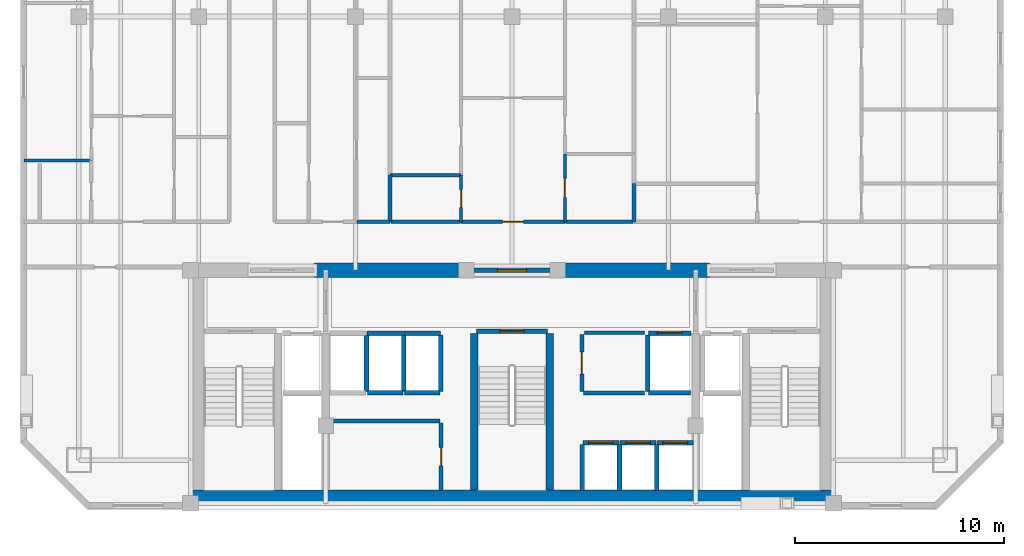
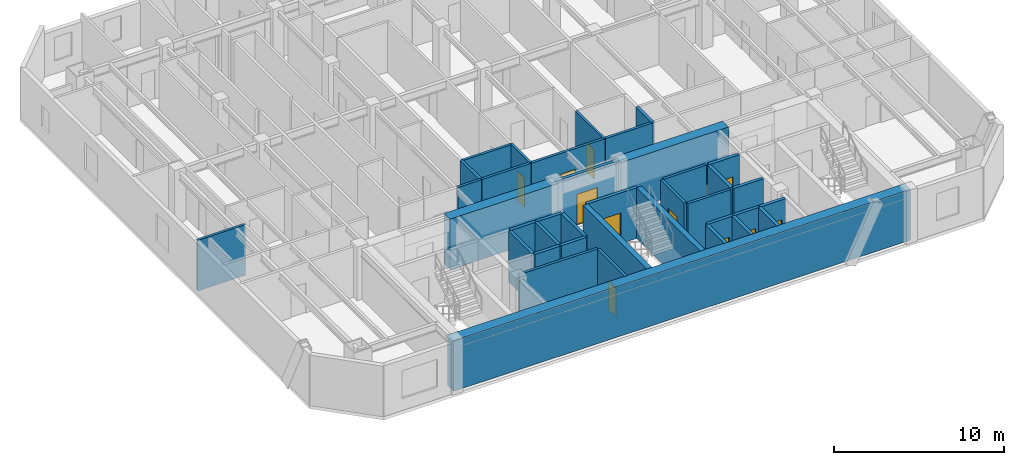
# One storey, part 3 of 8: 38 walls, 11 doors, 11 openings.
"""IFC4 building model written with IfcOpenShell, lengths in metres."""

from ifc_helpers import new_model, si_unit, direction, frame, frame_2d, origin, place, context, subcontext, project, spatial, rectangle, extrude, material, layer, layer_set, type_object, element, fill, save


model = new_model("IFC4")

# Units and contexts
model_context = context("Model", 3, precision=1e-05, world=origin(), true_north=direction((0.0, 1.0)))
body_context = subcontext(model_context, "Body", "Model", "MODEL_VIEW")
ifc_project = project(units=[si_unit("LENGTHUNIT", "METRE"), si_unit("AREAUNIT", "SQUARE_METRE"), si_unit("VOLUMEUNIT", "CUBIC_METRE"), si_unit("PLANEANGLEUNIT", "RADIAN"), si_unit("MASSUNIT", "GRAM", prefix="KILO")], contexts=[model_context])

# Site, building, storey
site_placement = place(None, origin())
site = spatial("IfcSite", under=ifc_project, at=site_placement, CompositionType="ELEMENT")
building_placement = place(site_placement, origin())
building = spatial("IfcBuilding", under=site, at=building_placement, Name="Ventersveld Concourse Tower", CompositionType="ELEMENT")
storey_placement = place(building_placement, frame((0.0, 0.0, 179.85009765625)))
storey = spatial("IfcBuildingStorey", under=building, at=storey_placement, Name="L44", CompositionType="ELEMENT", Elevation=179.85009765625)

# Walls
ifc_material_1 = material(Name="Concrete C60/75", Category="concrete")
ifc_layer_1 = layer(ifc_material_1, 0.35009765625)
ifc_layer_set_1 = layer_set([ifc_layer_1], Name="Concrete C60/75")
wall_type_1 = type_object("IfcWallType", Name="WL-CORE-350L", PredefinedType="SHEAR", material=ifc_layer_set_1)
for number, where, z_axis, x_axis, name in (
    (1, (26.93994140625, 0.919921875, 0.0), (0.0, 0.0, 1.0), (0.0, 1.0, 0.0), "L44 Core Internal Shear Web W-ST3-W"),
    (2, (30.56005859375, 0.919921875, 0.0), (0.0, 0.0, 1.0), (0.0, 1.0, 0.0), "L44 Core Internal Shear Web W-ST3-E"),
):
    element("IfcWall", number, at=place(storey_placement, frame(where, z_axis=z_axis, x_axis=x_axis)), inside=storey, type_object=wall_type_1, Name=name, PredefinedType="SHEAR", context=body_context, shape_type="SweptSolid", body=[
        extrude(rectangle(XDim=7.5, YDim=0.35009765625, at=frame_2d((3.75, 0.0))), origin(), (0.0, 0.0, 1.0), 3.6298828125),
    ])
ifc_layer_2 = layer(ifc_material_1, 0.699951171875)
ifc_layer_set_2 = layer_set([ifc_layer_2], Name="Concrete C60/75")
wall_type_2 = type_object("IfcWallType", Name="WL-CORE-700", PredefinedType="SHEAR", material=ifc_layer_set_2)
wall_1_placement = place(storey_placement, frame((13.25, 0.570068359375, 0.0), z_axis=(0.0, 0.0, 1.0), x_axis=(1.0, 0.0, 0.0)))
element("IfcWall", 3, at=wall_1_placement, inside=storey, type_object=wall_type_2, Name="L44 Rear Core South Shear Wall", PredefinedType="SHEAR", context=body_context, shape_type="SweptSolid", body=[
    extrude(rectangle(XDim=31.0, YDim=0.699951171875, at=frame_2d((15.5, 0.0))), origin(), (0.0, 0.0, 1.0), 3.6298828125),
])
for number, where, z_axis, x_axis, name in (
    (4, (19.300048828125, 11.449951171875, 0.0), (0.0, 0.0, 1.0), (1.0, 0.0, 0.0), "L44 Rear Core North Shear Wall NML"),
    (5, (30.89990234375, 11.449951171875, 0.0), (0.0, 0.0, 1.0), (1.0, 0.0, 0.0), "L44 Rear Core North Shear Wall NMR"),
):
    element("IfcWall", number, at=place(storey_placement, frame(where, z_axis=z_axis, x_axis=x_axis)), inside=storey, type_object=wall_type_2, Name=name, PredefinedType="SHEAR", context=body_context, shape_type="SweptSolid", body=[
        extrude(rectangle(XDim=7.300048828125, YDim=0.699951171875, at=frame_2d((3.64990234375, 0.0))), origin(), (0.0, 0.0, 1.0), 3.6298828125),
    ])

# Wall, opening, door
ifc_material_2 = material(Name="Fire-rated autoclaved aerated masonry blockwork", Category="masonry")
ifc_layer_3 = layer(ifc_material_2, 0.179931640625)
ifc_layer_set_3 = layer_set([ifc_layer_3], Name="Fire-rated autoclaved aerated masonry blockwork")
wall_type_3 = type_object("IfcWallType", Name="WL-CORR-180", PredefinedType="PARTITIONING", material=ifc_layer_set_3)
wall_2_placement = place(storey_placement, frame((25.35009765625, 0.89990234375, 0.0), z_axis=(0.0, 0.0, 1.0), x_axis=(0.0, 1.0, 0.0)))
wall_2 = element("IfcWall", 6, at=wall_2_placement, inside=storey, type_object=wall_type_3, Name="L44 Core Passage Wall SP-L44-RECB1A", PredefinedType="PARTITIONING", context=body_context, shape_type="SweptSolid", body=[
    extrude(rectangle(XDim=3.239990234375, YDim=0.179931640625, at=frame_2d((1.6201171875, 0.0))), origin(), (0.0, 0.0, 1.0), 3.6298828125),
])
opening_1_placement = place(wall_2_placement, frame((1.179931640625, 0.0, 0.0)))
opening_1 = element("IfcOpeningElement", 7, at=opening_1_placement, cuts=wall_2, Name="Opening FD5", PredefinedType="OPENING", context=body_context, shape_type="SweptSolid", body=[
    extrude(rectangle(XDim=0.8798828125, YDim=2.050048828125, at=frame_2d((0.43994140625, 1.02490234375))), frame((0.0, 0.10009765625, 0.0), z_axis=(0.0, -1.0, 0.0), x_axis=(1.0, 0.0, 0.0)), (0.0, 0.0, 1.0), 0.199951171875),
])
ifc_material_3 = material(Name="Galvanised painted steel", Category="steel")
door_type_1 = type_object("IfcDoorType", Name="DR-RISER-088", OperationType="NOTDEFINED", PredefinedType="DOOR", material=ifc_material_3)
door_1_placement = place(opening_1_placement, origin())
door_1 = element("IfcDoor", 8, at=door_1_placement, inside=storey, type_object=door_type_1, Name="L44 Core Room Door L44 Reclaimed Core Quiet Study Pod (CD-L44-2149)", OperationType="SINGLE_SWING_RIGHT", OverallHeight=2.050048828125, OverallWidth=0.8798828125, PredefinedType="DOOR", context=body_context, shape_type="SweptSolid", body=[
    extrude(rectangle(XDim=0.8798828125, YDim=2.050048828125, at=frame_2d((0.43994140625, 1.02490234375))), frame((0.0, 0.02490234375, 0.0), z_axis=(0.0, -1.0, 0.0), x_axis=(1.0, 0.0, 0.0)), (0.0, 0.0, 1.0), 0.050048828125),
])
fill(opening_1, door_1)

# Wall
wall_3_placement = place(storey_placement, frame((19.97998046875, 4.22998046875, 0.0), z_axis=(0.0, 0.0, 1.0), x_axis=(1.0, 0.0, 0.0)))
element("IfcWall", 9, at=wall_3_placement, inside=storey, type_object=wall_type_3, Name="L44 Core Top Wall SP-L44-RECB1A", PredefinedType="PARTITIONING", context=body_context, shape_type="SweptSolid", body=[
    extrude(rectangle(XDim=5.320068359375, YDim=0.179931640625, at=frame_2d((2.66015625, 0.0))), origin(), (0.0, 0.0, 1.0), 3.6298828125),
])

# Wall, opening, door
wall_4_placement = place(storey_placement, frame((32.10009765625, 5.64990234375, 0.0), z_axis=(0.0, 0.0, 1.0), x_axis=(0.0, 1.0, 0.0)))
wall_4 = element("IfcWall", 10, at=wall_4_placement, inside=storey, type_object=wall_type_3, Name="L44 Core Passage Wall SP-L44-CBAY1", PredefinedType="PARTITIONING", context=body_context, shape_type="SweptSolid", body=[
    extrude(rectangle(XDim=2.72998046875, YDim=0.179931640625, at=frame_2d((1.364990234375, 0.0))), origin(), (0.0, 0.0, 1.0), 3.6298828125),
])
opening_2_placement = place(wall_4_placement, frame((0.840087890625, 0.0, 0.0)))
opening_2 = element("IfcOpeningElement", 11, at=opening_2_placement, cuts=wall_4, Name="Opening ID3", PredefinedType="OPENING", context=body_context, shape_type="SweptSolid", body=[
    extrude(rectangle(XDim=1.050048828125, YDim=2.14990234375, at=frame_2d((0.52490234375, 1.074951171875))), frame((0.0, 0.10009765625, 0.0), z_axis=(0.0, -1.0, 0.0), x_axis=(1.0, 0.0, 0.0)), (0.0, 0.0, 1.0), 0.199951171875),
])
ifc_material_4 = material(Name="Solid-core hardwood veneer timber", Category="wood")
door_type_2 = type_object("IfcDoorType", Name="DR-AWC-105", OperationType="NOTDEFINED", PredefinedType="DOOR", material=ifc_material_4)
door_2_placement = place(opening_2_placement, origin())
door_2 = element("IfcDoor", 12, at=door_2_placement, inside=storey, type_object=door_type_2, Name="L44 Core Room Door L44 Core Unisex Accessible WC (CD-L44-2150)", OperationType="SINGLE_SWING_LEFT", OverallHeight=2.14990234375, OverallWidth=1.050048828125, PredefinedType="DOOR", context=body_context, shape_type="SweptSolid", body=[
    extrude(rectangle(XDim=1.050048828125, YDim=2.14990234375, at=frame_2d((0.52490234375, 1.074951171875))), frame((0.0, 0.02490234375, 0.0), z_axis=(0.0, -1.0, 0.0), x_axis=(1.0, 0.0, 0.0)), (0.0, 0.0, 1.0), 0.050048828125),
])
fill(opening_2, door_2)

# Walls
wall_5_placement = place(storey_placement, frame((32.219970703125, 8.4599609375, 0.0), z_axis=(0.0, 0.0, 1.0), x_axis=(1.0, 0.0, 0.0)))
element("IfcWall", 13, at=wall_5_placement, inside=storey, type_object=wall_type_3, Name="L44 Core Top Wall SP-L44-CBAY1", PredefinedType="PARTITIONING", context=body_context, shape_type="SweptSolid", body=[
    extrude(rectangle(XDim=2.880126953125, YDim=0.179931640625, at=frame_2d((1.43994140625, 0.0))), origin(), (0.0, 0.0, 1.0), 3.6298828125),
])
wall_6_placement = place(storey_placement, frame((32.179931640625, 5.570068359375, 0.0), z_axis=(0.0, 0.0, 1.0), x_axis=(1.0, 0.0, 0.0)))
element("IfcWall", 14, at=wall_6_placement, inside=storey, type_object=wall_type_3, Name="L44 Core Bot Wall SP-L44-CBAY1", PredefinedType="PARTITIONING", context=body_context, shape_type="SweptSolid", body=[
    extrude(rectangle(XDim=2.920166015625, YDim=0.179931640625, at=frame_2d((1.4599609375, 0.0))), origin(), (0.0, 0.0, 1.0), 3.6298828125),
])
wall_7_placement = place(storey_placement, frame((21.336181640625, 13.77001953125, 0.0), z_axis=(0.0, 0.0, 1.0), x_axis=(1.0, 0.0, 0.0)))
element("IfcWall", 15, at=wall_7_placement, inside=storey, type_object=wall_type_3, Name="L44 Interior Partition SP-L44-COR-SP-L44-44CW-KIT", PredefinedType="PARTITIONING", context=body_context, shape_type="SweptSolid", body=[
    extrude(rectangle(XDim=1.578857421875, YDim=0.179931640625, at=frame_2d((0.78955078125, 0.0))), origin(), (0.0, 0.0, 1.0), 3.6298828125),
])

# Wall, opening, door
wall_8_placement = place(storey_placement, frame((26.302734375, 13.77001953125, 0.0), z_axis=(0.0, 0.0, 1.0), x_axis=(1.0, 0.0, 0.0)))
wall_8 = element("IfcWall", 16, at=wall_8_placement, inside=storey, type_object=wall_type_3, Name="L44 Interior Partition SP-L44-COR-SP-L44-44CM-FOY", PredefinedType="PARTITIONING", context=body_context, shape_type="SweptSolid", body=[
    extrude(rectangle(XDim=4.989990234375, YDim=0.179931640625, at=frame_2d((2.4951171875, 0.0))), origin(), (0.0, 0.0, 1.0), 3.6298828125),
])
opening_3_placement = place(wall_8_placement, frame((1.9951171875, 0.0, 0.0)))
opening_3 = element("IfcOpeningElement", 17, at=opening_3_placement, cuts=wall_8, Name="Opening FD3", PredefinedType="OPENING", context=body_context, shape_type="SweptSolid", body=[
    extrude(rectangle(XDim=1.0, YDim=2.14990234375, at=frame_2d((0.5, 1.074951171875))), frame((0.0, 0.10009765625, 0.0), z_axis=(0.0, -1.0, 0.0), x_axis=(1.0, 0.0, 0.0)), (0.0, 0.0, 1.0), 0.199951171875),
])
door_type_3 = type_object("IfcDoorType", Name="DR-FLAT-100", OperationType="NOTDEFINED", PredefinedType="DOOR", material=ifc_material_4)
door_3_placement = place(opening_3_placement, origin())
door_3 = element("IfcDoor", 18, at=door_3_placement, inside=storey, type_object=door_type_3, Name="L44 Interior Door SP-L44-COR to SP-L44-44CM-FOY (FD-L44-2156)", OperationType="SINGLE_SWING_RIGHT", OverallHeight=2.14990234375, OverallWidth=1.0, PredefinedType="DOOR", context=body_context, shape_type="SweptSolid", body=[
    extrude(rectangle(XDim=1.0, YDim=2.14990234375, at=frame_2d((0.5, 1.074951171875))), frame((0.0, 0.02490234375, 0.0), z_axis=(0.0, -1.0, 0.0), x_axis=(1.0, 0.0, 0.0)), (0.0, 0.0, 1.0), 0.050048828125),
])
fill(opening_3, door_3)

# Walls
wall_9_placement = place(storey_placement, frame((22.945068359375, 13.77001953125, 0.0), z_axis=(0.0, 0.0, 1.0), x_axis=(1.0, 0.0, 0.0)))
element("IfcWall", 19, at=wall_9_placement, inside=storey, type_object=wall_type_3, Name="L44 Interior Partition SP-L44-COR-SP-L44-44CM-BATH", PredefinedType="PARTITIONING", context=body_context, shape_type="SweptSolid", body=[
    extrude(rectangle(XDim=3.32763671875, YDim=0.179931640625, at=frame_2d((1.663818359375, 0.0))), origin(), (0.0, 0.0, 1.0), 3.6298828125),
])
wall_10_placement = place(storey_placement, frame((31.32275390625, 13.77001953125, 0.0), z_axis=(0.0, 0.0, 1.0), x_axis=(1.0, 0.0, 0.0)))
element("IfcWall", 20, at=wall_10_placement, inside=storey, type_object=wall_type_3, Name="L44 Interior Partition SP-L44-COR-SP-L44-44CM-KIT", PredefinedType="PARTITIONING", context=body_context, shape_type="SweptSolid", body=[
    extrude(rectangle(XDim=3.232177734375, YDim=0.179931640625, at=frame_2d((1.6162109375, 0.0))), origin(), (0.0, 0.0, 1.0), 3.6298828125),
])
ifc_layer_4 = layer(ifc_material_2, 0.199951171875)
ifc_layer_set_4 = layer_set([ifc_layer_4], Name="Fire-rated autoclaved aerated masonry blockwork")
wall_type_4 = type_object("IfcWallType", Name="WL-DEMISE-200", PredefinedType="PARTITIONING", material=ifc_layer_set_4)
wall_11_placement = place(storey_placement, frame((22.909912109375, 13.764892578125, 0.0), z_axis=(0.0, 0.0, 1.0), x_axis=(0.0, 1.0, 0.0)))
element("IfcWall", 21, at=wall_11_placement, inside=storey, type_object=wall_type_4, Name="L44 Interior Partition SP-L44-44CW-KIT-SP-L44-44CM-BATH", PredefinedType="PARTITIONING", context=body_context, shape_type="SweptSolid", body=[
    extrude(rectangle(XDim=2.2412109375, YDim=0.199951171875, at=frame_2d((1.12060546875, 0.0))), origin(), (0.0, 0.0, 1.0), 3.6298828125),
])
wall_12_placement = place(storey_placement, frame((34.590087890625, 13.764892578125, 0.0), z_axis=(0.0, 0.0, 1.0), x_axis=(0.0, 1.0, 0.0)))
element("IfcWall", 22, at=wall_12_placement, inside=storey, type_object=wall_type_4, Name="L44 Interior Partition SP-L44-44CE-BATH-SP-L44-44CM-KIT", PredefinedType="PARTITIONING", context=body_context, shape_type="SweptSolid", body=[
    extrude(rectangle(XDim=1.840087890625, YDim=0.199951171875, at=frame_2d((0.919921875, 0.0))), origin(), (0.0, 0.0, 1.0), 3.6298828125),
])
ifc_layer_5 = layer(ifc_material_2, 0.219970703125)
ifc_layer_set_5 = layer_set([ifc_layer_5], Name="Fire-rated autoclaved aerated masonry blockwork")
wall_type_5 = type_object("IfcWallType", Name="WL-HOIST-220", PredefinedType="SOLIDWALL", material=ifc_layer_set_5)
wall_13_placement = place(storey_placement, frame((35.300048828125, 5.590087890625, 0.0), z_axis=(0.0, 0.0, 1.0), x_axis=(1.0, 0.0, 0.0)))
element("IfcWall", 23, at=wall_13_placement, inside=storey, type_object=wall_type_5, Name="L44 Lift Hoistway Back Wall SVL-01", PredefinedType="SOLIDWALL", context=body_context, shape_type="SweptSolid", body=[
    extrude(rectangle(XDim=2.0, YDim=0.219970703125, at=frame_2d((1.0, 0.0))), origin(), (0.0, 0.0, 1.0), 3.6298828125),
])
wall_14_placement = place(storey_placement, frame((35.260009765625, 5.64990234375, 0.0), z_axis=(0.0, 0.0, 1.0), x_axis=(0.0, 1.0, 0.0)))
element("IfcWall", 24, at=wall_14_placement, inside=storey, type_object=wall_type_5, Name="L44 Lift Hoistway Side Wall SVL-01W", PredefinedType="SOLIDWALL", context=body_context, shape_type="SweptSolid", body=[
    extrude(rectangle(XDim=2.7001953125, YDim=0.219970703125, at=frame_2d((1.35009765625, 0.0))), origin(), (0.0, 0.0, 1.0), 3.6298828125),
])

# Wall, opening, door
wall_15_placement = place(storey_placement, frame((35.280029296875, 8.429931640625, 0.0), z_axis=(0.0, 0.0, 1.0), x_axis=(1.0, 0.0, 0.0)))
wall_15 = element("IfcWall", 25, at=wall_15_placement, inside=storey, type_object=wall_type_5, Name="L44 Lift Hoistway Front Wall SVL-01", PredefinedType="SOLIDWALL", context=body_context, shape_type="SweptSolid", body=[
    extrude(rectangle(XDim=2.0400390625, YDim=0.219970703125, at=frame_2d((1.02001953125, 0.0))), origin(), (0.0, 0.0, 1.0), 3.6298828125),
])
opening_4_placement = place(wall_15_placement, frame((0.429931640625, 0.0, 0.0)))
opening_4 = element("IfcOpeningElement", 26, at=opening_4_placement, cuts=wall_15, Name="Opening LD2", PredefinedType="OPENING", context=body_context, shape_type="SweptSolid", body=[
    extrude(rectangle(XDim=1.179931640625, YDim=2.199951171875, at=frame_2d((0.58984375, 1.10009765625))), frame((0.0, 0.1201171875, 0.0), z_axis=(0.0, -1.0, 0.0), x_axis=(1.0, 0.0, 0.0)), (0.0, 0.0, 1.0), 0.239990234375),
])
ifc_material_5 = material(Name="Brushed stainless steel 316", Category="steel")
door_type_4 = type_object("IfcDoorType", Name="LD-PAX-118", OperationType="SLIDING_TO_LEFT", PredefinedType="DOOR", material=ifc_material_5)
door_4_placement = place(opening_4_placement, origin())
door_4 = element("IfcDoor", 27, at=door_4_placement, inside=storey, type_object=door_type_4, Name="L44 Lift landing door SVL-01 (LD-L44-SVL-01)", OperationType="SLIDING_TO_LEFT", OverallHeight=2.199951171875, OverallWidth=1.179931640625, PredefinedType="DOOR", context=body_context, shape_type="SweptSolid", body=[
    extrude(rectangle(XDim=1.179931640625, YDim=2.199951171875, at=frame_2d((0.58984375, 1.10009765625))), frame((0.0, 0.02490234375, 0.0), z_axis=(0.0, -1.0, 0.0), x_axis=(1.0, 0.0, 0.0)), (0.0, 0.0, 1.0), 0.050048828125),
])
fill(opening_4, door_4)

# Walls
for number, where, z_axis, x_axis, name in (
    (28, (32.1201171875, 0.89990234375, 0.0), (0.0, 0.0, 1.0), (0.0, 1.0, 0.0), "L44 Lift Hoistway Side Wall PM-01W"),
    (29, (33.89990234375, 0.89990234375, 0.0), (0.0, 0.0, 1.0), (0.0, 1.0, 0.0), "L44 Lift Hoistway Side Wall PM-01E"),
):
    element("IfcWall", number, at=place(storey_placement, frame(where, z_axis=z_axis, x_axis=x_axis)), inside=storey, type_object=wall_type_5, Name=name, PredefinedType="SOLIDWALL", context=body_context, shape_type="SweptSolid", body=[
        extrude(rectangle(XDim=2.2001953125, YDim=0.219970703125, at=frame_2d((1.10009765625, 0.0))), origin(), (0.0, 0.0, 1.0), 3.6298828125),
    ])

# Wall, opening, door
wall_16_placement = place(storey_placement, frame((32.139892578125, 3.179931640625, 0.0), z_axis=(0.0, 0.0, 1.0), x_axis=(1.0, 0.0, 0.0)))
wall_16 = element("IfcWall", 30, at=wall_16_placement, inside=storey, type_object=wall_type_5, Name="L44 Lift Hoistway Front Wall PM-01", PredefinedType="SOLIDWALL", context=body_context, shape_type="SweptSolid", body=[
    extrude(rectangle(XDim=1.739990234375, YDim=0.219970703125, at=frame_2d((0.8701171875, 0.0))), origin(), (0.0, 0.0, 1.0), 3.6298828125),
])
opening_5_placement = place(wall_16_placement, frame((0.280029296875, 0.0, 0.0)))
opening_5 = element("IfcOpeningElement", 31, at=opening_5_placement, cuts=wall_16, Name="Opening LD2", PredefinedType="OPENING", context=body_context, shape_type="SweptSolid", body=[
    extrude(rectangle(XDim=1.179931640625, YDim=2.199951171875, at=frame_2d((0.58984375, 1.10009765625))), frame((0.0, 0.1201171875, 0.0), z_axis=(0.0, -1.0, 0.0), x_axis=(1.0, 0.0, 0.0)), (0.0, 0.0, 1.0), 0.239990234375),
])
door_5_placement = place(opening_5_placement, origin())
door_5 = element("IfcDoor", 32, at=door_5_placement, inside=storey, type_object=door_type_4, Name="L44 Lift landing door PM-01 (LD-L44-PM-01)", OperationType="SLIDING_TO_RIGHT", OverallHeight=2.199951171875, OverallWidth=1.179931640625, PredefinedType="DOOR", context=body_context, shape_type="SweptSolid", body=[
    extrude(rectangle(XDim=1.179931640625, YDim=2.199951171875, at=frame_2d((0.58984375, 1.10009765625))), frame((0.0, 0.02490234375, 0.0), z_axis=(0.0, -1.0, 0.0), x_axis=(1.0, 0.0, 0.0)), (0.0, 0.0, 1.0), 0.050048828125),
])
fill(opening_5, door_5)

# Wall
wall_17_placement = place(storey_placement, frame((35.679931640625, 0.89990234375, 0.0), z_axis=(0.0, 0.0, 1.0), x_axis=(0.0, 1.0, 0.0)))
element("IfcWall", 33, at=wall_17_placement, inside=storey, type_object=wall_type_5, Name="L44 Lift Hoistway Side Wall PM-02E", PredefinedType="SOLIDWALL", context=body_context, shape_type="SweptSolid", body=[
    extrude(rectangle(XDim=2.2001953125, YDim=0.219970703125, at=frame_2d((1.10009765625, 0.0))), origin(), (0.0, 0.0, 1.0), 3.6298828125),
])

# Wall, opening, door
wall_18_placement = place(storey_placement, frame((33.919921875, 3.179931640625, 0.0), z_axis=(0.0, 0.0, 1.0), x_axis=(1.0, 0.0, 0.0)))
wall_18 = element("IfcWall", 34, at=wall_18_placement, inside=storey, type_object=wall_type_5, Name="L44 Lift Hoistway Front Wall PM-02", PredefinedType="SOLIDWALL", context=body_context, shape_type="SweptSolid", body=[
    extrude(rectangle(XDim=1.739990234375, YDim=0.219970703125, at=frame_2d((0.8701171875, 0.0))), origin(), (0.0, 0.0, 1.0), 3.6298828125),
])
opening_6_placement = place(wall_18_placement, frame((0.280029296875, 0.0, 0.0)))
opening_6 = element("IfcOpeningElement", 35, at=opening_6_placement, cuts=wall_18, Name="Opening LD2", PredefinedType="OPENING", context=body_context, shape_type="SweptSolid", body=[
    extrude(rectangle(XDim=1.179931640625, YDim=2.199951171875, at=frame_2d((0.58984375, 1.10009765625))), frame((0.0, 0.1201171875, 0.0), z_axis=(0.0, -1.0, 0.0), x_axis=(1.0, 0.0, 0.0)), (0.0, 0.0, 1.0), 0.239990234375),
])
door_6_placement = place(opening_6_placement, origin())
door_6 = element("IfcDoor", 36, at=door_6_placement, inside=storey, type_object=door_type_4, Name="L44 Lift landing door PM-02 (LD-L44-PM-02)", OperationType="SLIDING_TO_LEFT", OverallHeight=2.199951171875, OverallWidth=1.179931640625, PredefinedType="DOOR", context=body_context, shape_type="SweptSolid", body=[
    extrude(rectangle(XDim=1.179931640625, YDim=2.199951171875, at=frame_2d((0.58984375, 1.10009765625))), frame((0.0, 0.02490234375, 0.0), z_axis=(0.0, -1.0, 0.0), x_axis=(1.0, 0.0, 0.0)), (0.0, 0.0, 1.0), 0.050048828125),
])
fill(opening_6, door_6)

wall_19_placement = place(storey_placement, frame((35.699951171875, 3.179931640625, 0.0), z_axis=(0.0, 0.0, 1.0), x_axis=(1.0, 0.0, 0.0)))
wall_19 = element("IfcWall", 37, at=wall_19_placement, inside=storey, type_object=wall_type_5, Name="L44 Lift Hoistway Front Wall PM-03", PredefinedType="SOLIDWALL", context=body_context, shape_type="SweptSolid", body=[
    extrude(rectangle(XDim=1.739990234375, YDim=0.219970703125, at=frame_2d((0.8701171875, 0.0))), origin(), (0.0, 0.0, 1.0), 3.6298828125),
])
opening_7_placement = place(wall_19_placement, frame((0.280029296875, 0.0, 0.0)))
opening_7 = element("IfcOpeningElement", 38, at=opening_7_placement, cuts=wall_19, Name="Opening LD2", PredefinedType="OPENING", context=body_context, shape_type="SweptSolid", body=[
    extrude(rectangle(XDim=1.179931640625, YDim=2.199951171875, at=frame_2d((0.58984375, 1.10009765625))), frame((0.0, 0.1201171875, 0.0), z_axis=(0.0, -1.0, 0.0), x_axis=(1.0, 0.0, 0.0)), (0.0, 0.0, 1.0), 0.239990234375),
])
door_7_placement = place(opening_7_placement, origin())
door_7 = element("IfcDoor", 39, at=door_7_placement, inside=storey, type_object=door_type_4, Name="L44 Lift landing door PM-03 (LD-L44-PM-03)", OperationType="SLIDING_TO_RIGHT", OverallHeight=2.199951171875, OverallWidth=1.179931640625, PredefinedType="DOOR", context=body_context, shape_type="SweptSolid", body=[
    extrude(rectangle(XDim=1.179931640625, YDim=2.199951171875, at=frame_2d((0.58984375, 1.10009765625))), frame((0.0, 0.02490234375, 0.0), z_axis=(0.0, -1.0, 0.0), x_axis=(1.0, 0.0, 0.0)), (0.0, 0.0, 1.0), 0.050048828125),
])
fill(opening_7, door_7)

# Walls
wall_20_placement = place(storey_placement, frame((21.780029296875, 5.64990234375, 0.0), z_axis=(0.0, 0.0, 1.0), x_axis=(0.0, 1.0, 0.0)))
element("IfcWall", 40, at=wall_20_placement, inside=storey, type_object=wall_type_5, Name="L44 Lift Hoistway Side Wall PH-01E", PredefinedType="SOLIDWALL", context=body_context, shape_type="SweptSolid", body=[
    extrude(rectangle(XDim=2.7001953125, YDim=0.219970703125, at=frame_2d((1.35009765625, 0.0))), origin(), (0.0, 0.0, 1.0), 3.6298828125),
])
wall_21_placement = place(storey_placement, frame((21.820068359375, 5.590087890625, 0.0), z_axis=(0.0, 0.0, 1.0), x_axis=(1.0, 0.0, 0.0)))
element("IfcWall", 41, at=wall_21_placement, inside=storey, type_object=wall_type_5, Name="L44 Lift Hoistway Back Wall PH-02", PredefinedType="SOLIDWALL", context=body_context, shape_type="SweptSolid", body=[
    extrude(rectangle(XDim=1.699951171875, YDim=0.219970703125, at=frame_2d((0.85009765625, 0.0))), origin(), (0.0, 0.0, 1.0), 3.6298828125),
])
wall_22_placement = place(storey_placement, frame((23.56005859375, 5.64990234375, 0.0), z_axis=(0.0, 0.0, 1.0), x_axis=(0.0, 1.0, 0.0)))
element("IfcWall", 42, at=wall_22_placement, inside=storey, type_object=wall_type_5, Name="L44 Lift Hoistway Side Wall PH-02E", PredefinedType="SOLIDWALL", context=body_context, shape_type="SweptSolid", body=[
    extrude(rectangle(XDim=2.7001953125, YDim=0.219970703125, at=frame_2d((1.35009765625, 0.0))), origin(), (0.0, 0.0, 1.0), 3.6298828125),
])
wall_23_placement = place(storey_placement, frame((21.800048828125, 8.429931640625, 0.0), z_axis=(0.0, 0.0, 1.0), x_axis=(1.0, 0.0, 0.0)))
element("IfcWall", 43, at=wall_23_placement, inside=storey, type_object=wall_type_5, Name="L44 Lift Hoistway Front Wall PH-02", PredefinedType="SOLIDWALL", context=body_context, shape_type="SweptSolid", body=[
    extrude(rectangle(XDim=1.739990234375, YDim=0.219970703125, at=frame_2d((0.8701171875, 0.0))), origin(), (0.0, 0.0, 1.0), 3.6298828125),
])
wall_24_placement = place(storey_placement, frame((23.60009765625, 5.590087890625, 0.0), z_axis=(0.0, 0.0, 1.0), x_axis=(1.0, 0.0, 0.0)))
element("IfcWall", 44, at=wall_24_placement, inside=storey, type_object=wall_type_5, Name="L44 Lift Hoistway Back Wall PH-03", PredefinedType="SOLIDWALL", context=body_context, shape_type="SweptSolid", body=[
    extrude(rectangle(XDim=1.699951171875, YDim=0.219970703125, at=frame_2d((0.85009765625, 0.0))), origin(), (0.0, 0.0, 1.0), 3.6298828125),
])
wall_25_placement = place(storey_placement, frame((25.340087890625, 5.64990234375, 0.0), z_axis=(0.0, 0.0, 1.0), x_axis=(0.0, 1.0, 0.0)))
element("IfcWall", 45, at=wall_25_placement, inside=storey, type_object=wall_type_5, Name="L44 Lift Hoistway Side Wall PH-03E", PredefinedType="SOLIDWALL", context=body_context, shape_type="SweptSolid", body=[
    extrude(rectangle(XDim=2.7001953125, YDim=0.219970703125, at=frame_2d((1.35009765625, 0.0))), origin(), (0.0, 0.0, 1.0), 3.6298828125),
])
wall_26_placement = place(storey_placement, frame((23.580078125, 8.429931640625, 0.0), z_axis=(0.0, 0.0, 1.0), x_axis=(1.0, 0.0, 0.0)))
element("IfcWall", 46, at=wall_26_placement, inside=storey, type_object=wall_type_5, Name="L44 Lift Hoistway Front Wall PH-03", PredefinedType="SOLIDWALL", context=body_context, shape_type="SweptSolid", body=[
    extrude(rectangle(XDim=1.739990234375, YDim=0.219970703125, at=frame_2d((0.8701171875, 0.0))), origin(), (0.0, 0.0, 1.0), 3.6298828125),
])

# Wall, opening, door
wall_27_placement = place(storey_placement, frame((27.0400390625, 8.52001953125, 0.0), z_axis=(0.0, 0.0, 1.0), x_axis=(1.0, 0.0, 0.0)))
wall_27 = element("IfcWall", 47, at=wall_27_placement, inside=storey, type_object=wall_type_5, Name="L44 Escape Stair ST03 Fire Wall", PredefinedType="SOLIDWALL", context=body_context, shape_type="SweptSolid", body=[
    extrude(rectangle(XDim=3.419921875, YDim=0.219970703125, at=frame_2d((1.7099609375, 0.0))), origin(), (0.0, 0.0, 1.0), 3.6298828125),
])
opening_8_placement = place(wall_27_placement, frame((1.135009765625, 0.0, 0.0)))
opening_8 = element("IfcOpeningElement", 48, at=opening_8_placement, cuts=wall_27, Name="Opening FD1", PredefinedType="OPENING", context=body_context, shape_type="SweptSolid", body=[
    extrude(rectangle(XDim=1.14990234375, YDim=2.199951171875, at=frame_2d((0.574951171875, 1.10009765625))), frame((0.0, 0.1201171875, 0.0), z_axis=(0.0, -1.0, 0.0), x_axis=(1.0, 0.0, 0.0)), (0.0, 0.0, 1.0), 0.239990234375),
])
door_type_5 = type_object("IfcDoorType", Name="DR-STAIR-115", OperationType="NOTDEFINED", PredefinedType="DOOR", material=ifc_material_3)
door_8_placement = place(opening_8_placement, origin())
door_8 = element("IfcDoor", 49, at=door_8_placement, inside=storey, type_object=door_type_5, Name="L44 Escape Stair Door ST03 (SD-L44-2143)", OperationType="SINGLE_SWING_LEFT", OverallHeight=2.199951171875, OverallWidth=1.14990234375, PredefinedType="DOOR", context=body_context, shape_type="SweptSolid", body=[
    extrude(rectangle(XDim=1.14990234375, YDim=2.199951171875, at=frame_2d((0.574951171875, 1.10009765625))), frame((0.0, 0.02490234375, 0.0), z_axis=(0.0, -1.0, 0.0), x_axis=(1.0, 0.0, 0.0)), (0.0, 0.0, 1.0), 0.050048828125),
])
fill(opening_8, door_8)

wall_28_placement = place(storey_placement, frame((26.6298828125, 11.449951171875, 0.0), z_axis=(0.0, 0.0, 1.0), x_axis=(1.0, 0.0, 0.0)))
wall_28 = element("IfcWall", 50, at=wall_28_placement, inside=storey, type_object=wall_type_5, Name="L44 Core North Fire Portal PLOB-OUT", PredefinedType="SOLIDWALL", context=body_context, shape_type="SweptSolid", body=[
    extrude(rectangle(XDim=4.240234375, YDim=0.219970703125, at=frame_2d((2.1201171875, 0.0))), origin(), (0.0, 0.0, 1.0), 3.6298828125),
])
opening_9_placement = place(wall_28_placement, frame((1.419921875, 0.0, 0.0)))
opening_9 = element("IfcOpeningElement", 51, at=opening_9_placement, cuts=wall_28, Name="Opening FD4", PredefinedType="OPENING", context=body_context, shape_type="SweptSolid", body=[
    extrude(rectangle(XDim=1.39990234375, YDim=2.199951171875, at=frame_2d((0.699951171875, 1.10009765625))), frame((0.0, 0.1201171875, 0.0), z_axis=(0.0, -1.0, 0.0), x_axis=(1.0, 0.0, 0.0)), (0.0, 0.0, 1.0), 0.239990234375),
])
door_type_6 = type_object("IfcDoorType", Name="DR-PLANT-140", OperationType="DOUBLE_DOOR_SINGLE_SWING", PredefinedType="DOOR", material=ifc_material_3)
door_9_placement = place(opening_9_placement, origin())
door_9 = element("IfcDoor", 52, at=door_9_placement, inside=storey, type_object=door_type_6, Name="L44 Core Lobby Fire Door PLOB-OUT (FD-L44-2147)", OperationType="DOUBLE_DOOR_SINGLE_SWING", OverallHeight=2.199951171875, OverallWidth=1.39990234375, PredefinedType="DOOR", context=body_context, shape_type="SweptSolid", body=[
    extrude(rectangle(XDim=1.39990234375, YDim=2.199951171875, at=frame_2d((0.699951171875, 1.10009765625))), frame((0.0, 0.02490234375, 0.0), z_axis=(0.0, -1.0, 0.0), x_axis=(1.0, 0.0, 0.0)), (0.0, 0.0, 1.0), 0.050048828125),
])
fill(opening_9, door_9)

ifc_material_6 = material(Name="Autoclaved aerated masonry blockwork", Category="masonry")
ifc_layer_6 = layer(ifc_material_6, 0.14990234375)
ifc_layer_set_6 = layer_set([ifc_layer_6], Name="Autoclaved aerated masonry blockwork")
wall_type_6 = type_object("IfcWallType", Name="WL-INT-150", PredefinedType="PARTITIONING", material=ifc_layer_set_6)
wall_29_placement = place(storey_placement, frame((31.287841796875, 13.764892578125, 0.0), z_axis=(0.0, 0.0, 1.0), x_axis=(0.0, 1.0, 0.0)))
wall_29 = element("IfcWall", 53, at=wall_29_placement, inside=storey, type_object=wall_type_6, Name="L44 Interior Partition SP-L44-44CM-FOY-SP-L44-44CM-KIT", PredefinedType="PARTITIONING", context=body_context, shape_type="SweptSolid", body=[
    extrude(rectangle(XDim=3.264892578125, YDim=0.14990234375, at=frame_2d((1.63232421875, 0.0))), origin(), (0.0, 0.0, 1.0), 3.6298828125),
])
opening_10_placement = place(wall_29_placement, frame((1.17236328125, 0.0, 0.0)))
opening_10 = element("IfcOpeningElement", 54, at=opening_10_placement, cuts=wall_29, Name="Opening ID1", PredefinedType="OPENING", context=body_context, shape_type="SweptSolid", body=[
    extrude(rectangle(XDim=0.919921875, YDim=2.10009765625, at=frame_2d((0.4599609375, 1.050048828125))), frame((0.0, 0.0849609375, 0.0), z_axis=(0.0, -1.0, 0.0), x_axis=(1.0, 0.0, 0.0)), (0.0, 0.0, 1.0), 0.169921875),
])
door_type_7 = type_object("IfcDoorType", Name="DR-ROOM-092", OperationType="NOTDEFINED", PredefinedType="DOOR", material=ifc_material_4)
door_10_placement = place(opening_10_placement, origin())
door_10 = element("IfcDoor", 55, at=door_10_placement, inside=storey, type_object=door_type_7, Name="L44 Interior Door SP-L44-44CM-FOY to SP-L44-44CM-KIT (D-L44-2186)", OperationType="SINGLE_SWING_RIGHT", OverallHeight=2.10009765625, OverallWidth=0.919921875, PredefinedType="DOOR", context=body_context, shape_type="SweptSolid", body=[
    extrude(rectangle(XDim=0.919921875, YDim=2.10009765625, at=frame_2d((0.4599609375, 1.050048828125))), frame((0.0, 0.02490234375, 0.0), z_axis=(0.0, -1.0, 0.0), x_axis=(1.0, 0.0, 0.0)), (0.0, 0.0, 1.0), 0.050048828125),
])
fill(opening_10, door_10)

# Wall
ifc_layer_7 = layer(ifc_material_6, 0.1650390625)
ifc_layer_set_7 = layer_set([ifc_layer_7], Name="Autoclaved aerated masonry blockwork")
wall_type_7 = type_object("IfcWallType", Name="WL-WET-165", PredefinedType="PLUMBINGWALL", material=ifc_layer_set_7)
wall_30_placement = place(storey_placement, frame((5.37255859375, 16.70849609375, 0.0), z_axis=(0.0, 0.0, 1.0), x_axis=(1.0, 0.0, 0.0)))
element("IfcWall", 56, at=wall_30_placement, inside=storey, type_object=wall_type_7, Name="L44 Interior Partition SP-L44-44NW-BATH-SP-L44-44NW-OFFL0", PredefinedType="PLUMBINGWALL", context=body_context, shape_type="SweptSolid", body=[
    extrude(rectangle(XDim=3.235107421875, YDim=0.1650390625, at=frame_2d((1.61767578125, 0.0))), origin(), (0.0, 0.0, 1.0), 3.6298828125),
])

# Wall, opening, door
wall_31_placement = place(storey_placement, frame((26.307861328125, 13.764892578125, 0.0), z_axis=(0.0, 0.0, 1.0), x_axis=(0.0, 1.0, 0.0)))
wall_31 = element("IfcWall", 57, at=wall_31_placement, inside=storey, type_object=wall_type_7, Name="L44 Interior Partition SP-L44-44CM-FOY-SP-L44-44CM-BATH", PredefinedType="PLUMBINGWALL", context=body_context, shape_type="SweptSolid", body=[
    extrude(rectangle(XDim=2.2412109375, YDim=0.1650390625, at=frame_2d((1.12060546875, 0.0))), origin(), (0.0, 0.0, 1.0), 3.6298828125),
])
opening_11_placement = place(wall_31_placement, frame((0.695556640625, 0.0, 0.0)))
opening_11 = element("IfcOpeningElement", 58, at=opening_11_placement, cuts=wall_31, Name="Opening ID2", PredefinedType="OPENING", context=body_context, shape_type="SweptSolid", body=[
    extrude(rectangle(XDim=0.85009765625, YDim=2.10009765625, at=frame_2d((0.425048828125, 1.050048828125))), frame((0.0, 0.092529296875, 0.0), z_axis=(0.0, -1.0, 0.0), x_axis=(1.0, 0.0, 0.0)), (0.0, 0.0, 1.0), 0.18505859375),
])
door_type_8 = type_object("IfcDoorType", Name="DR-BATH-085", OperationType="NOTDEFINED", PredefinedType="DOOR", material=ifc_material_4)
door_11_placement = place(opening_11_placement, origin())
door_11 = element("IfcDoor", 59, at=door_11_placement, inside=storey, type_object=door_type_8, Name="L44 Interior Door SP-L44-44CM-FOY to SP-L44-44CM-BATH (D-L44-2184)", OperationType="SINGLE_SWING_RIGHT", OverallHeight=2.10009765625, OverallWidth=0.85009765625, PredefinedType="DOOR", context=body_context, shape_type="SweptSolid", body=[
    extrude(rectangle(XDim=0.85009765625, YDim=2.10009765625, at=frame_2d((0.425048828125, 1.050048828125))), frame((0.0, 0.02490234375, 0.0), z_axis=(0.0, -1.0, 0.0), x_axis=(1.0, 0.0, 0.0)), (0.0, 0.0, 1.0), 0.050048828125),
])
fill(opening_11, door_11)

# Wall
wall_32_placement = place(storey_placement, frame((22.905029296875, 16.001220703125, 0.0), z_axis=(0.0, 0.0, 1.0), x_axis=(1.0, 0.0, 0.0)))
element("IfcWall", 60, at=wall_32_placement, inside=storey, type_object=wall_type_7, Name="L44 Interior Partition SP-L44-44CM-BATH-SP-L44-44CM-SEML0", PredefinedType="PLUMBINGWALL", context=body_context, shape_type="SweptSolid", body=[
    extrude(rectangle(XDim=3.40771484375, YDim=0.1650390625, at=frame_2d((1.703857421875, 0.0))), origin(), (0.0, 0.0, 1.0), 3.6298828125),
])

save(model, "model.ifc")
